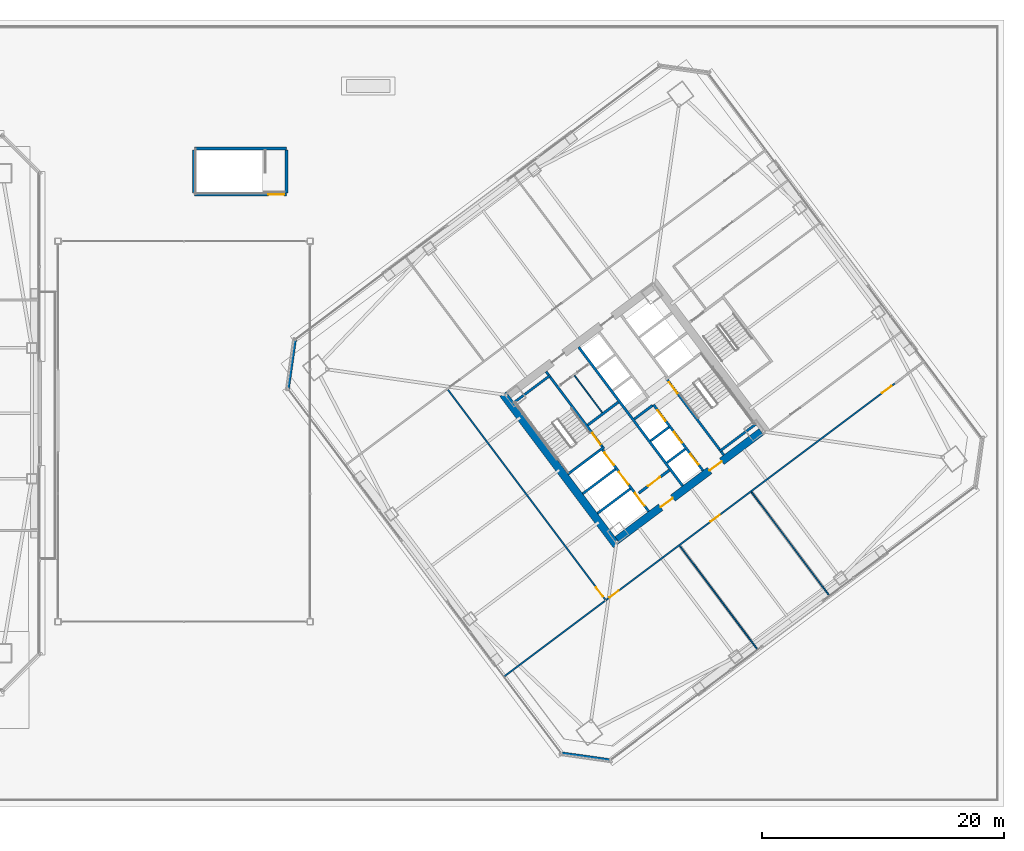
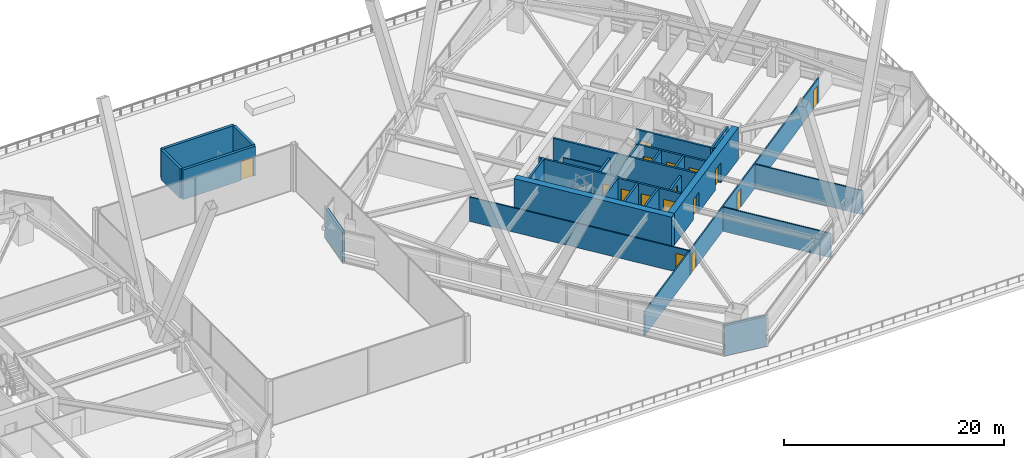
# One storey, part 70 of 83: 29 walls, 16 doors, 16 openings.
"""IFC4 building model written with IfcOpenShell, lengths in metres."""

import ifcopenshell
import ifcopenshell.guid

model = None  # the IFC model being written
_history = None  # IfcOwnerHistory: only IFC2X3 demands one
_inside = {}  # id of a spatial element -> (the spatial element, [elements in it])
_under = {}  # id of a project, library or spatial element -> (it, [spatial elements below it])
_declared = {}  # id of a project -> (the project, [libraries it declares])
_typed = {}  # id of a type object -> (the type object, [elements of that type])
_made_of = {}  # id of a material, layer set ... -> (it, [elements and type objects made of it])


def new_model(schema):
    """Start an empty IFC model of exactly this schema.

    Asked for "IFC4X3", IfcOpenShell would pick the latest addendum, in which some entities
    have other attributes; the version numbers below select the first issue.
    IFC2X3 requires an IfcOwnerHistory on every rooted entity: one is made here for all.
    """
    global model, _history
    if schema == "IFC4X3":
        model = ifcopenshell.file(schema_version=(4, 3, 0, 0))
    else:
        model = ifcopenshell.file(schema=schema)
    _inside.clear()
    _under.clear()
    _declared.clear()
    _typed.clear()
    _made_of.clear()
    _history = None
    if model.schema == "IFC2X3":
        org = make("IfcOrganization", Name="unknown")
        user = make(
            "IfcPersonAndOrganization",
            ThePerson=make("IfcPerson", FamilyName="unknown"),
            TheOrganization=org,
        )
        app = make(
            "IfcApplication",
            ApplicationDeveloper=org,
            Version="unknown",
            ApplicationFullName="unknown",
            ApplicationIdentifier="unknown",
        )
        _history = make(
            "IfcOwnerHistory",
            OwningUser=user,
            OwningApplication=app,
            ChangeAction="ADDED",
            CreationDate=0,
        )
    return model


def make(cls, **values):
    """One entity of the class cls with the attributes given. An attribute that is None is left unset."""
    return model.create_entity(
        cls, **{name: value for name, value in values.items() if value is not None}
    )


def rooted(cls, **values):
    """An entity with a GlobalId (a new one), such as an element, a storey or a relation."""
    return make(cls, GlobalId=ifcopenshell.guid.new(), OwnerHistory=_history, **values)


def si_unit(unit_type, name, prefix=None):
    """IfcSIUnit, for example si_unit("LENGTHUNIT", "METRE", prefix="MILLI")."""
    return make("IfcSIUnit", UnitType=unit_type, Prefix=prefix, Name=name)


def assignment(units):
    """IfcUnitAssignment: the units of a project."""
    return None if units is None else make("IfcUnitAssignment", Units=units)


def point(xyz):
    """IfcCartesianPoint."""
    return None if xyz is None else make("IfcCartesianPoint", Coordinates=xyz)


def direction(xyz):
    """IfcDirection."""
    return None if xyz is None else make("IfcDirection", DirectionRatios=xyz)


def frame(location, z_axis=None, x_axis=None):
    """IfcAxis2Placement3D, a coordinate frame: its origin and axes. An axis left out is left unset."""
    return make(
        "IfcAxis2Placement3D",
        Location=point(location),
        Axis=direction(z_axis),
        RefDirection=direction(x_axis),
    )


def frame_2d(location, x_axis=None):
    """IfcAxis2Placement2D, a coordinate frame in the plane: its origin and x axis."""
    return make(
        "IfcAxis2Placement2D", Location=point(location), RefDirection=direction(x_axis)
    )


def origin():
    """The frame at (0, 0, 0) with its axes left unset."""
    return frame((0.0, 0.0, 0.0))


def place(relative_to, where):
    """IfcLocalPlacement: puts the frame where relative to a parent placement (None: the world)."""
    return make(
        "IfcLocalPlacement", PlacementRelTo=relative_to, RelativePlacement=where
    )


def context(
    kind, dimensions, precision=None, world=None, true_north=None, identifier=None
):
    """IfcGeometricRepresentationContext, for example the 3D "Model" context."""
    return make(
        "IfcGeometricRepresentationContext",
        ContextIdentifier=identifier,
        ContextType=kind,
        CoordinateSpaceDimension=dimensions,
        Precision=precision,
        WorldCoordinateSystem=world,
        TrueNorth=true_north,
    )


def subcontext(parent, identifier, kind, view, scale=None):
    """IfcGeometricRepresentationSubContext, for example "Body" below "Model"."""
    return make(
        "IfcGeometricRepresentationSubContext",
        ContextIdentifier=identifier,
        ContextType=kind,
        ParentContext=parent,
        TargetScale=scale,
        TargetView=view,
    )


def project(units=None, contexts=None):
    """IfcProject with its units and contexts."""
    return rooted(
        "IfcProject",
        Name="project",
        RepresentationContexts=contexts,
        UnitsInContext=assignment(units),
    )


def spatial(cls, under=None, at=None, **own):
    """A site, building, storey or space (cls), placed at a placement, below another one or the project."""
    s = rooted(cls, ObjectPlacement=at, **own)
    if under is not None:
        _under.setdefault(under.id(), (under, []))[1].append(s)
    return s


def profile(cls, at=None, kind="AREA", **sizes):
    """A parametric profile (cls). Its sizes go by their IFC names, for example OverallWidth=200.0."""
    return make(cls, ProfileType=kind, Position=at, **sizes)


def rectangle(**sizes):
    """IfcRectangleProfileDef."""
    return profile("IfcRectangleProfileDef", **sizes)


def extrude(swept, where, along, depth):
    """IfcExtrudedAreaSolid: the profile swept, set in the frame where, extruded along a direction by depth."""
    return make(
        "IfcExtrudedAreaSolid",
        SweptArea=swept,
        Position=where,
        ExtrudedDirection=direction(along),
        Depth=depth,
    )


def shape(context_of_items, identifier, shape_type, items):
    """IfcShapeRepresentation: the items that make up one representation, for example the "Body"."""
    return make(
        "IfcShapeRepresentation",
        ContextOfItems=context_of_items,
        RepresentationIdentifier=identifier,
        RepresentationType=shape_type,
        Items=items,
    )


def material(Name=None, Category=None):
    """IfcMaterial."""
    return make("IfcMaterial", Name=Name, Category=Category)


def layer(
    of_material, thickness, ventilated=None, Name=None, Category=None, Priority=None
):
    """IfcMaterialLayer: one layer of a wall or slab, of a material (None: an air gap)."""
    return make(
        "IfcMaterialLayer",
        Material=of_material,
        LayerThickness=thickness,
        IsVentilated=ventilated,
        Name=Name,
        Category=Category,
        Priority=Priority,
    )


def layer_set(layers, Name=None):
    """IfcMaterialLayerSet."""
    return make("IfcMaterialLayerSet", MaterialLayers=layers, LayerSetName=Name)


def made_of(thing, what):
    """Note that an element or type object is made of a material, layer set ...; save() writes the relation."""
    if what is not None:
        _made_of.setdefault(what.id(), (what, []))[1].append(thing)
    return thing


def type_object(cls, material=None, **own):
    """A type object (cls), such as IfcWallType, which elements share."""
    return made_of(rooted(cls, **own), material)


def element(
    cls,
    number,
    at=None,
    inside=None,
    cuts=None,
    type_object=None,
    material=None,
    context=None,
    identifier="Body",
    shape_type=None,
    held_by="IfcProductDefinitionShape",
    body=None,
    shapes=None,
    **own,
):
    """One element of the class cls, such as IfcWall. Its Tag is "e" and its number.

    at: its placement. inside: the storey or other place that contains it. cuts: it is an
    opening in that element (IfcRelVoidsElement). A single representation is given by context,
    identifier, shape_type and body (its items); several are given by shapes. held_by: the class
    of the entity that holds the representations. save() writes the other relations.
    """
    e = rooted(cls, Tag="e%d" % number, ObjectPlacement=at, **own)
    if body is not None:
        shapes = [shape(context, identifier, shape_type, body)]
    if shapes is not None:
        e.Representation = make(held_by, Representations=shapes)
    if inside is not None:
        _inside.setdefault(inside.id(), (inside, []))[1].append(e)
    if cuts is not None:
        rooted(
            "IfcRelVoidsElement", RelatingBuildingElement=cuts, RelatedOpeningElement=e
        )
    if type_object is not None:
        _typed.setdefault(type_object.id(), (type_object, []))[1].append(e)
    return made_of(e, material)


def fill(opening, filler):
    """IfcRelFillsElement: the door or window that sits in an opening."""
    return rooted(
        "IfcRelFillsElement",
        RelatingOpeningElement=opening,
        RelatedBuildingElement=filler,
    )


def aggregate(whole, parts):
    """IfcRelAggregates: a whole, such as a stair, and the parts it consists of."""
    return rooted("IfcRelAggregates", RelatingObject=whole, RelatedObjects=parts)


def save(model, path):
    """Write the relations noted so far, then the file.

    IfcRelAggregates (storeys below a building ...), IfcRelContainedInSpatialStructure (elements
    in a storey), IfcRelDefinesByType, IfcRelAssociatesMaterial and IfcRelDeclares: one each for
    every whole, place, type object, material and project.
    """
    for whole, parts in _under.values():
        aggregate(whole, parts)
    for where, things in _inside.values():
        rooted(
            "IfcRelContainedInSpatialStructure",
            RelatedElements=things,
            RelatingStructure=where,
        )
    for kind, things in _typed.values():
        rooted("IfcRelDefinesByType", RelatedObjects=things, RelatingType=kind)
    for what, things in _made_of.values():
        rooted("IfcRelAssociatesMaterial", RelatedObjects=things, RelatingMaterial=what)
    for by, libraries in _declared.values():
        rooted("IfcRelDeclares", RelatingContext=by, RelatedDefinitions=libraries)
    model.write(path)


model = new_model("IFC4")

# Units and contexts
model_context = context("Model", 3, precision=1e-05, world=origin(), true_north=direction((0.0, 1.0)))
body_context = subcontext(model_context, "Body", "Model", "MODEL_VIEW")
ifc_project = project(units=[si_unit("LENGTHUNIT", "METRE"), si_unit("AREAUNIT", "SQUARE_METRE"), si_unit("VOLUMEUNIT", "CUBIC_METRE"), si_unit("PLANEANGLEUNIT", "RADIAN"), si_unit("MASSUNIT", "GRAM", prefix="KILO")], contexts=[model_context])

# Site, building, storey
site_placement = place(None, origin())
site = spatial("IfcSite", under=ifc_project, at=site_placement, CompositionType="ELEMENT")
building_placement = place(site_placement, origin())
building = spatial("IfcBuilding", under=site, at=building_placement, Name="Tashvorn Skyway Center", CompositionType="ELEMENT")
storey_placement = place(building_placement, frame((0.0, 0.0, 24.60009765625)))
storey = spatial("IfcBuildingStorey", under=building, at=storey_placement, Name="L05", CompositionType="ELEMENT", Elevation=24.60009765625)

# Wall
ifc_material_1 = material(Name="Concrete C60/75", Category="concrete")
ifc_layer_1 = layer(ifc_material_1, 0.64990234375)
ifc_layer_set_1 = layer_set([ifc_layer_1], Name="Concrete C60/75")
wall_type_1 = type_object("IfcWallType", Name="WALL-CORE-650", PredefinedType="SHEAR", material=ifc_layer_set_1)
wall_1_placement = place(storey_placement, frame((112.47607421875, 21.10693359375, 0.0), z_axis=(0.0, 0.0, 1.0), x_axis=(-0.600005007985, 0.799996243986, 0.0)))
element("IfcWall", 1, at=wall_1_placement, inside=storey, type_object=wall_type_1, Name="Tower 2 L05 West Core Shear Wall", PredefinedType="SHEAR", context=body_context, shape_type="SweptSolid", body=[
    extrude(rectangle(XDim=15.60009765625, YDim=0.64990234375, at=frame_2d((7.800048828125, 0.0))), origin(), (0.0, 0.0, 1.0), 3.5498046875),
])

# Wall, openings, doors
wall_2_placement = place(storey_placement, frame((124.428955078125, 30.47802734375, 0.0), z_axis=(0.0, 0.0, 1.0), x_axis=(-0.799998028465, -0.600002628705, 0.0)))
wall_2 = element("IfcWall", 2, at=wall_2_placement, inside=storey, type_object=wall_type_1, Name="Tower 2 L05 South Core Shear Wall", PredefinedType="SHEAR", context=body_context, shape_type="SweptSolid", body=[
    extrude(rectangle(XDim=14.85986328125, YDim=0.64990234375, at=frame_2d((7.429931640625, 0.0))), origin(), (0.0, 0.0, 1.0), 3.5498046875),
])
opening_1_placement = place(wall_2_placement, frame((9.1298828125, 0.0, 0.0)))
opening_1 = element("IfcOpeningElement", 3, at=opening_1_placement, cuts=wall_2, Name="Opening D-FFL-1250", PredefinedType="OPENING", context=body_context, shape_type="SweptSolid", body=[
    extrude(rectangle(XDim=1.25, YDim=2.25, at=frame_2d((0.625, 1.125))), frame((0.0, 0.3349609375, 0.0), z_axis=(0.0, -1.0, 0.0), x_axis=(1.0, 0.0, 0.0)), (0.0, 0.0, 1.0), 0.669921875),
])
opening_2_placement = place(wall_2_placement, frame((4.080078125, 0.0, 0.0)))
opening_2 = element("IfcOpeningElement", 4, at=opening_2_placement, cuts=wall_2, Name="Opening D-FFL-1250", PredefinedType="OPENING", context=body_context, shape_type="SweptSolid", body=[
    extrude(rectangle(XDim=1.25, YDim=2.25, at=frame_2d((0.625, 1.125))), frame((0.0, 0.3349609375, 0.0), z_axis=(0.0, -1.0, 0.0), x_axis=(1.0, 0.0, 0.0)), (0.0, 0.0, 1.0), 0.669921875),
])
ifc_material_2 = material(Name="Hollow galvanized steel fire door assembly", Category="steel")
door_type_1 = type_object("IfcDoorType", Name="DOOR-FFL-1250", OperationType="NOTDEFINED", PredefinedType="DOOR", material=ifc_material_2)
door_1_placement = place(opening_1_placement, origin())
door_1 = element("IfcDoor", 5, at=door_1_placement, inside=storey, type_object=door_type_1, Name="Tower 2 L05 Core South Firefighting Exit Door", OperationType="SINGLE_SWING_LEFT", OverallHeight=2.25, OverallWidth=1.25, PredefinedType="DOOR", context=body_context, shape_type="SweptSolid", body=[
    extrude(rectangle(XDim=1.25, YDim=2.25, at=frame_2d((0.625, 1.125))), frame((0.0, 0.02490234375, 0.0), z_axis=(0.0, -1.0, 0.0), x_axis=(1.0, 0.0, 0.0)), (0.0, 0.0, 1.0), 0.050048828125),
])
fill(opening_1, door_1)
door_2_placement = place(opening_2_placement, origin())
door_2 = element("IfcDoor", 6, at=door_2_placement, inside=storey, type_object=door_type_1, Name="Tower 2 L05 Core South Lift Lobby Door", OperationType="SINGLE_SWING_RIGHT", OverallHeight=2.25, OverallWidth=1.25, PredefinedType="DOOR", context=body_context, shape_type="SweptSolid", body=[
    extrude(rectangle(XDim=1.25, YDim=2.25, at=frame_2d((0.625, 1.125))), frame((0.0, 0.02490234375, 0.0), z_axis=(0.0, -1.0, 0.0), x_axis=(1.0, 0.0, 0.0)), (0.0, 0.0, 1.0), 0.050048828125),
])
fill(opening_2, door_2)

# Walls
ifc_material_3 = material(Name="Precast concrete C40/50", Category="concrete")
ifc_layer_2 = layer(ifc_material_3, 0.280029296875)
ifc_layer_set_2 = layer_set([ifc_layer_2], Name="Precast concrete C40/50")
wall_type_2 = type_object("IfcWallType", Name="WALL-EXT-280", PredefinedType="SOLIDWALL", material=ifc_layer_set_2)
for number, where, z_axis, x_axis, name in (
    (7, (111.97998046875, 3.360107421875, 0.0), (0.0, 0.0, 1.0), (-0.989955445613, 0.14137968631, 0.0), "Tower 2 L05 SW Precast Chamfer Wall"),
    (8, (85.360107421875, 34.02001953125, 0.0), (0.0, 0.0, 1.0), (0.14137968631, 0.989955445613, 0.0), "Tower 2 L05 NW Precast Chamfer Wall"),
):
    element("IfcWall", number, at=place(storey_placement, frame(where, z_axis=z_axis, x_axis=x_axis)), inside=storey, type_object=wall_type_2, Name=name, PredefinedType="SOLIDWALL", context=body_context, shape_type="SweptSolid", body=[
        extrude(rectangle(XDim=4.101318359375, YDim=0.280029296875, at=frame_2d((2.05078125, 0.0))), origin(), (0.0, 0.0, 1.0), 3.349853515625),
    ])
ifc_material_4 = material(Name="Concrete C40/50", Category="concrete")
ifc_layer_3 = layer(ifc_material_4, 0.219970703125)
ifc_layer_set_3 = layer_set([ifc_layer_3], Name="Concrete C40/50")
wall_type_3 = type_object("IfcWallType", Name="WALL-FFL-220", PredefinedType="SOLIDWALL", material=ifc_layer_set_3)
wall_3_placement = place(storey_placement, frame((110.10400390625, 31.028076171875, 0.0), z_axis=(0.0, 0.0, 1.0), x_axis=(0.800018601094, 0.59997519774, 0.0)))
element("IfcWall", 9, at=wall_3_placement, inside=storey, type_object=wall_type_3, Name="Tower 2 L05 Firefighting Lobby North Wall", PredefinedType="SOLIDWALL", context=body_context, shape_type="SweptSolid", body=[
    extrude(rectangle(XDim=3.14990234375, YDim=0.219970703125, at=frame_2d((1.574951171875, 0.0))), origin(), (0.0, 0.0, 1.0), 2.702880859375),
])

# Wall, opening, door
wall_4_placement = place(storey_placement, frame((114.31591796875, 25.412109375, 0.0), z_axis=(0.0, 0.0, 1.0), x_axis=(0.800018601094, 0.59997519774, 0.0)))
wall_4 = element("IfcWall", 10, at=wall_4_placement, inside=storey, type_object=wall_type_3, Name="Tower 2 L05 Firefighting Lobby South Wall", PredefinedType="SOLIDWALL", context=body_context, shape_type="SweptSolid", body=[
    extrude(rectangle(XDim=3.14990234375, YDim=0.219970703125, at=frame_2d((1.574951171875, 0.0))), origin(), (0.0, 0.0, 1.0), 2.702880859375),
])
opening_3_placement = place(wall_4_placement, frame((0.949951171875, 0.0, 0.0)))
opening_3 = element("IfcOpeningElement", 11, at=opening_3_placement, cuts=wall_4, Name="Opening D-FFL-1250", PredefinedType="OPENING", context=body_context, shape_type="SweptSolid", body=[
    extrude(rectangle(XDim=1.25, YDim=2.25, at=frame_2d((0.625, 1.125))), frame((0.0, 0.119873046875, 0.0), z_axis=(0.0, -1.0, 0.0), x_axis=(1.0, 0.0, 0.0)), (0.0, 0.0, 1.0), 0.239990234375),
])
door_3_placement = place(opening_3_placement, origin())
door_3 = element("IfcDoor", 12, at=door_3_placement, inside=storey, type_object=door_type_1, Name="Tower 2 L05 Firefighting Lobby Egress Door", OperationType="SINGLE_SWING_LEFT", OverallHeight=2.25, OverallWidth=1.25, PredefinedType="DOOR", context=body_context, shape_type="SweptSolid", body=[
    extrude(rectangle(XDim=1.25, YDim=2.25, at=frame_2d((0.625, 1.125))), frame((0.0, 0.02490234375, 0.0), z_axis=(0.0, -1.0, 0.0), x_axis=(1.0, 0.0, 0.0)), (0.0, 0.0, 1.0), 0.050048828125),
])
fill(opening_3, door_3)

# Walls
ifc_material_5 = material(Name="Gypsum board on cold-formed steel stud framing", Category="steel")
ifc_layer_4 = layer(ifc_material_5, 0.110107421875)
ifc_layer_set_4 = layer_set([ifc_layer_4], Name="Gypsum board on cold-formed steel stud framing")
wall_type_4 = type_object("IfcWallType", Name="WALL-PART-110", PredefinedType="PARTITIONING", material=ifc_layer_set_4)
wall_5_placement = place(storey_placement, frame((124.1279296875, 12.49609375, 0.0), z_axis=(0.0, 0.0, 1.0), x_axis=(-0.600003650761, 0.799997261916, 0.0)))
element("IfcWall", 13, at=wall_5_placement, inside=storey, type_object=wall_type_4, Name="Tower 2 L05 South Suite Partition 1", PredefinedType="PARTITIONING", context=body_context, shape_type="SweptSolid", body=[
    extrude(rectangle(XDim=10.69970703125, YDim=0.110107421875, at=frame_2d((5.349853515625, 0.0))), origin(), (0.0, 0.0, 1.0), 2.702880859375),
])
wall_6_placement = place(storey_placement, frame((130.048095703125, 16.93603515625, 0.0), z_axis=(0.0, 0.0, 1.0), x_axis=(-0.600007301277, 0.79999452399, 0.0)))
element("IfcWall", 14, at=wall_6_placement, inside=storey, type_object=wall_type_4, Name="Tower 2 L05 South Suite Partition 2", PredefinedType="PARTITIONING", context=body_context, shape_type="SweptSolid", body=[
    extrude(rectangle(XDim=10.7001953125, YDim=0.110107421875, at=frame_2d((5.35009765625, 0.0))), origin(), (0.0, 0.0, 1.0), 2.702880859375),
])

# Wall, openings, doors
ifc_layer_5 = layer(ifc_material_5, 0.135009765625)
ifc_layer_set_5 = layer_set([ifc_layer_5], Name="Gypsum board on cold-formed steel stud framing")
wall_type_5 = type_object("IfcWallType", Name="WALL-PART-135", PredefinedType="PARTITIONING", material=ifc_layer_set_5)
wall_7_placement = place(storey_placement, frame((135.4599609375, 34.469970703125, 0.0), z_axis=(0.0, 0.0, 1.0), x_axis=(-0.800000982127, -0.599998690494, 0.0)))
wall_7 = element("IfcWall", 15, at=wall_7_placement, inside=storey, type_object=wall_type_5, Name="Tower 2 L05 South Suite Wall", PredefinedType="PARTITIONING", context=body_context, shape_type="SweptSolid", body=[
    extrude(rectangle(XDim=29.830078125, YDim=0.135009765625, at=frame_2d((14.9150390625, 0.0))), origin(), (0.0, 0.0, 1.0), 2.702880859375),
])
opening_4_placement = place(wall_7_placement, frame((28.5, 0.0, 0.0)))
opening_4 = element("IfcOpeningElement", 16, at=opening_4_placement, cuts=wall_7, Name="Opening D-INT-950", PredefinedType="OPENING", context=body_context, shape_type="SweptSolid", body=[
    extrude(rectangle(XDim=0.949951171875, YDim=2.050048828125, at=frame_2d((0.47509765625, 1.02490234375))), frame((0.0, 0.077392578125, 0.0), z_axis=(0.0, -1.0, 0.0), x_axis=(1.0, 0.0, 0.0)), (0.0, 0.0, 1.0), 0.155029296875),
])
opening_5_placement = place(wall_7_placement, frame((18.074951171875, 0.0, 0.0)))
opening_5 = element("IfcOpeningElement", 17, at=opening_5_placement, cuts=wall_7, Name="Opening D-INT-950", PredefinedType="OPENING", context=body_context, shape_type="SweptSolid", body=[
    extrude(rectangle(XDim=0.949951171875, YDim=2.050048828125, at=frame_2d((0.47509765625, 1.02490234375))), frame((0.0, 0.077392578125, 0.0), z_axis=(0.0, -1.0, 0.0), x_axis=(1.0, 0.0, 0.0)), (0.0, 0.0, 1.0), 0.155029296875),
])
opening_6_placement = place(wall_7_placement, frame((0.3798828125, 0.0, 0.0)))
opening_6 = element("IfcOpeningElement", 18, at=opening_6_placement, cuts=wall_7, Name="Opening D-INT-950", PredefinedType="OPENING", context=body_context, shape_type="SweptSolid", body=[
    extrude(rectangle(XDim=0.949951171875, YDim=2.050048828125, at=frame_2d((0.47509765625, 1.02490234375))), frame((0.0, 0.077392578125, 0.0), z_axis=(0.0, -1.0, 0.0), x_axis=(1.0, 0.0, 0.0)), (0.0, 0.0, 1.0), 0.155029296875),
])
ifc_material_6 = material(Name="Solid-core architectural oak veneer door")
door_type_2 = type_object("IfcDoorType", Name="DOOR-INT-950", OperationType="NOTDEFINED", PredefinedType="DOOR", material=ifc_material_6)
door_4_placement = place(opening_4_placement, origin())
door_4 = element("IfcDoor", 19, at=door_4_placement, inside=storey, type_object=door_type_2, Name="Tower 2 L05 Open Plan Office Door", OperationType="SINGLE_SWING_RIGHT", OverallHeight=2.050048828125, OverallWidth=0.949951171875, PredefinedType="DOOR", context=body_context, shape_type="SweptSolid", body=[
    extrude(rectangle(XDim=0.949951171875, YDim=2.050048828125, at=frame_2d((0.47509765625, 1.02490234375))), frame((0.0, 0.02490234375, 0.0), z_axis=(0.0, -1.0, 0.0), x_axis=(1.0, 0.0, 0.0)), (0.0, 0.0, 1.0), 0.050048828125),
])
fill(opening_4, door_4)
door_5_placement = place(opening_5_placement, origin())
door_5 = element("IfcDoor", 20, at=door_5_placement, inside=storey, type_object=door_type_2, Name="Tower 2 L05 Catering Pantry Door", OperationType="SINGLE_SWING_LEFT", OverallHeight=2.050048828125, OverallWidth=0.949951171875, PredefinedType="DOOR", context=body_context, shape_type="SweptSolid", body=[
    extrude(rectangle(XDim=0.949951171875, YDim=2.050048828125, at=frame_2d((0.47509765625, 1.02490234375))), frame((0.0, 0.02490234375, 0.0), z_axis=(0.0, -1.0, 0.0), x_axis=(1.0, 0.0, 0.0)), (0.0, 0.0, 1.0), 0.050048828125),
])
fill(opening_5, door_5)
door_6_placement = place(opening_6_placement, origin())
door_6 = element("IfcDoor", 21, at=door_6_placement, inside=storey, type_object=door_type_2, Name="Tower 2 L05 Catering Pantry Door", OperationType="SINGLE_SWING_RIGHT", OverallHeight=2.050048828125, OverallWidth=0.949951171875, PredefinedType="DOOR", context=body_context, shape_type="SweptSolid", body=[
    extrude(rectangle(XDim=0.949951171875, YDim=2.050048828125, at=frame_2d((0.47509765625, 1.02490234375))), frame((0.0, 0.02490234375, 0.0), z_axis=(0.0, -1.0, 0.0), x_axis=(1.0, 0.0, 0.0)), (0.0, 0.0, 1.0), 0.050048828125),
])
fill(opening_6, door_6)

# Wall, opening, door
wall_8_placement = place(storey_placement, frame((111.548095703125, 16.635986328125, 0.0), z_axis=(0.0, 0.0, 1.0), x_axis=(-0.600003610192, 0.799997292343, 0.0)))
wall_8 = element("IfcWall", 22, at=wall_8_placement, inside=storey, type_object=wall_type_5, Name="Tower 2 L05 West Inner Suite Wall", PredefinedType="PARTITIONING", context=body_context, shape_type="SweptSolid", body=[
    extrude(rectangle(XDim=21.64013671875, YDim=0.135009765625, at=frame_2d((10.820068359375, 0.0))), origin(), (0.0, 0.0, 1.0), 2.702880859375),
])
opening_7_placement = place(wall_8_placement, frame((0.300048828125, 0.0, 0.0)))
opening_7 = element("IfcOpeningElement", 23, at=opening_7_placement, cuts=wall_8, Name="Opening D-INT-950", PredefinedType="OPENING", context=body_context, shape_type="SweptSolid", body=[
    extrude(rectangle(XDim=0.949951171875, YDim=2.050048828125, at=frame_2d((0.47509765625, 1.02490234375))), frame((0.0, 0.077392578125, 0.0), z_axis=(0.0, -1.0, 0.0), x_axis=(1.0, 0.0, 0.0)), (0.0, 0.0, 1.0), 0.155029296875),
])
door_7_placement = place(opening_7_placement, origin())
door_7 = element("IfcDoor", 24, at=door_7_placement, inside=storey, type_object=door_type_2, Name="Tower 2 L05 Staff Fitness Club Door", OperationType="SINGLE_SWING_LEFT", OverallHeight=2.050048828125, OverallWidth=0.949951171875, PredefinedType="DOOR", context=body_context, shape_type="SweptSolid", body=[
    extrude(rectangle(XDim=0.949951171875, YDim=2.050048828125, at=frame_2d((0.47509765625, 1.02490234375))), frame((0.0, 0.02490234375, 0.0), z_axis=(0.0, -1.0, 0.0), x_axis=(1.0, 0.0, 0.0)), (0.0, 0.0, 1.0), 0.050048828125),
])
fill(opening_7, door_7)

# Wall
wall_9_placement = place(storey_placement, frame((103.196044921875, 10.27197265625, 0.0), z_axis=(0.0, 0.0, 1.0), x_axis=(0.8, 0.6, 0.0)))
element("IfcWall", 25, at=wall_9_placement, inside=storey, type_object=wall_type_5, Name="Tower 2 L05 West Suite South Wall", PredefinedType="PARTITIONING", context=body_context, shape_type="SweptSolid", body=[
    extrude(rectangle(XDim=10.419921875, YDim=0.135009765625, at=frame_2d((5.2099609375, 0.0))), origin(), (0.0, 0.0, 1.0), 2.702880859375),
])

# Wall, opening, door
ifc_layer_6 = layer(ifc_material_3, 0.280029296875)
ifc_layer_set_6 = layer_set([ifc_layer_6], Name="Precast concrete C40/50")
wall_type_6 = type_object("IfcWallType", Name="WALL-PH-280", PredefinedType="SOLIDWALL", material=ifc_layer_set_6)
wall_10_placement = place(storey_placement, frame((85.25, 50.050048828125, 0.0), z_axis=(0.0, 0.0, 1.0), x_axis=(-1.0, 0.0, 0.0)))
wall_10 = element("IfcWall", 26, at=wall_10_placement, inside=storey, type_object=wall_type_6, Name="L05 POD2 Stair Penthouse South Wall", PredefinedType="SOLIDWALL", context=body_context, shape_type="SweptSolid", body=[
    extrude(rectangle(XDim=7.60009765625, YDim=0.280029296875, at=frame_2d((3.800048828125, 0.0))), origin(), (0.0, 0.0, 1.0), 3.2998046875),
])
opening_8_placement = place(wall_10_placement, frame((0.199951171875, 0.0, 0.0)))
opening_8 = element("IfcOpeningElement", 27, at=opening_8_placement, cuts=wall_10, Name="Opening D-TER-1300", PredefinedType="OPENING", context=body_context, shape_type="SweptSolid", body=[
    extrude(rectangle(XDim=1.300048828125, YDim=2.14990234375, at=frame_2d((0.64990234375, 1.074951171875))), frame((0.0, 0.14990234375, 0.0), z_axis=(0.0, -1.0, 0.0), x_axis=(1.0, 0.0, 0.0)), (0.0, 0.0, 1.0), 0.300048828125),
])
ifc_material_7 = material(Name="Thermally broken bronze-anodized aluminium 6063-T6", Category="aluminium")
door_type_3 = type_object("IfcDoorType", Name="DOOR-TERR-1300", OperationType="NOTDEFINED", PredefinedType="DOOR", material=ifc_material_7)
door_8_placement = place(opening_8_placement, origin())
door_8 = element("IfcDoor", 28, at=door_8_placement, inside=storey, type_object=door_type_3, Name="L05 POD2 Podium Garden Stair Exit Door", OperationType="SINGLE_SWING_LEFT", OverallHeight=2.14990234375, OverallWidth=1.300048828125, PredefinedType="DOOR", context=body_context, shape_type="SweptSolid", body=[
    extrude(rectangle(XDim=1.300048828125, YDim=2.14990234375, at=frame_2d((0.64990234375, 1.074951171875))), frame((0.0, 0.02490234375, 0.0), z_axis=(0.0, -1.0, 0.0), x_axis=(1.0, 0.0, 0.0)), (0.0, 0.0, 1.0), 0.050048828125),
])
fill(opening_8, door_8)

# Walls
wall_11_placement = place(storey_placement, frame((77.64990234375, 53.85009765625, 0.0), z_axis=(0.0, 0.0, 1.0), x_axis=(1.0, 0.0, 0.0)))
element("IfcWall", 29, at=wall_11_placement, inside=storey, type_object=wall_type_6, Name="L05 POD2 Stair Penthouse North Wall", PredefinedType="SOLIDWALL", context=body_context, shape_type="SweptSolid", body=[
    extrude(rectangle(XDim=7.60009765625, YDim=0.280029296875, at=frame_2d((3.800048828125, 0.0))), origin(), (0.0, 0.0, 1.0), 3.2998046875),
])
for number, where, z_axis, x_axis, name in (
    (30, (85.25, 53.7099609375, 0.0), (0.0, 0.0, 1.0), (0.0, -1.0, 0.0), "L05 POD2 Stair Penthouse East Wall"),
    (31, (77.64990234375, 50.18994140625, 0.0), (0.0, 0.0, 1.0), (0.0, 1.0, 0.0), "L05 POD2 Stair Penthouse West Wall"),
):
    element("IfcWall", number, at=place(storey_placement, frame(where, z_axis=z_axis, x_axis=x_axis)), inside=storey, type_object=wall_type_6, Name=name, PredefinedType="SOLIDWALL", context=body_context, shape_type="SweptSolid", body=[
        extrude(rectangle(XDim=3.52001953125, YDim=0.280029296875, at=frame_2d((1.760009765625, 0.0))), origin(), (0.0, 0.0, 1.0), 3.2998046875),
    ])
ifc_layer_7 = layer(ifc_material_5, 0.110107421875)
ifc_layer_set_7 = layer_set([ifc_layer_7], Name="Gypsum board on cold-formed steel stud framing")
wall_type_7 = type_object("IfcWallType", Name="WALL-RATED-110", PredefinedType="PARTITIONING", material=ifc_layer_set_7)
wall_12_placement = place(storey_placement, frame((111.2958984375, 32.072021484375, 0.0), z_axis=(0.0, 0.0, 1.0), x_axis=(-0.59995887973, 0.800030838552, 0.0)))
element("IfcWall", 32, at=wall_12_placement, inside=storey, type_object=wall_type_7, Name="Tower 2 L05 Core Split Partition", PredefinedType="PARTITIONING", context=body_context, shape_type="SweptSolid", body=[
    extrude(rectangle(XDim=3.7998046875, YDim=0.110107421875, at=frame_2d((1.89990234375, 0.0))), origin(), (0.0, 0.0, 1.0), 2.702880859375),
])
ifc_layer_8 = layer(ifc_material_4, 0.199951171875)
ifc_layer_set_8 = layer_set([ifc_layer_8], Name="Concrete C40/50")
wall_type_8 = type_object("IfcWallType", Name="WALL-SHAFT-200", PredefinedType="SOLIDWALL", material=ifc_layer_set_8)
for number, where, z_axis, x_axis, name in (
    (33, (110.906005859375, 23.741943359375, 0.0), (0.0, 0.0, 1.0), (0.8, 0.6, 0.0), "Tower 2 L05 FSAE Shaft Divider"),
    (34, (109.68798828125, 25.365966796875, 0.0), (0.0, 0.0, 1.0), (0.8, 0.6, 0.0), "Tower 2 L05 FSAE Shaft Divider"),
):
    element("IfcWall", number, at=place(storey_placement, frame(where, z_axis=z_axis, x_axis=x_axis)), inside=storey, type_object=wall_type_8, Name=name, PredefinedType="SOLIDWALL", context=body_context, shape_type="SweptSolid", body=[
        extrude(rectangle(XDim=3.380126953125, YDim=0.199951171875, at=frame_2d((1.68994140625, 0.0))), origin(), (0.0, 0.0, 1.0), 3.349853515625),
    ])

# Wall, openings, doors
wall_13_placement = place(storey_placement, frame((119.610107421875, 27.27001953125, 0.0), z_axis=(0.0, 0.0, 1.0), x_axis=(-0.600011488909, 0.79999138319, 0.0)))
wall_13 = element("IfcWall", 35, at=wall_13_placement, inside=storey, type_object=wall_type_8, Name="Tower 2 L05 Low-Rise Core Wall", PredefinedType="SOLIDWALL", context=body_context, shape_type="SweptSolid", body=[
    extrude(rectangle(XDim=6.800048828125, YDim=0.199951171875, at=frame_2d((3.39990234375, 0.0))), origin(), (0.0, 0.0, 1.0), 3.349853515625),
])
opening_9_placement = place(wall_13_placement, frame((0.625, 0.0, 0.0)))
opening_9 = element("IfcOpeningElement", 36, at=opening_9_placement, cuts=wall_13, Name="Opening LD-LR-T2-1-L05", PredefinedType="OPENING", context=body_context, shape_type="SweptSolid", body=[
    extrude(rectangle(XDim=1.10009765625, YDim=2.199951171875, at=frame_2d((0.550048828125, 1.10009765625))), frame((0.0, 0.10986328125, 0.0), z_axis=(0.0, -1.0, 0.0), x_axis=(1.0, 0.0, 0.0)), (0.0, 0.0, 1.0), 0.219970703125),
])
opening_10_placement = place(wall_13_placement, frame((2.875, 0.0, 0.0)))
opening_10 = element("IfcOpeningElement", 37, at=opening_10_placement, cuts=wall_13, Name="Opening LD-LR-T2-2-L05", PredefinedType="OPENING", context=body_context, shape_type="SweptSolid", body=[
    extrude(rectangle(XDim=1.10009765625, YDim=2.199951171875, at=frame_2d((0.550048828125, 1.10009765625))), frame((0.0, 0.10986328125, 0.0), z_axis=(0.0, -1.0, 0.0), x_axis=(1.0, 0.0, 0.0)), (0.0, 0.0, 1.0), 0.219970703125),
])
opening_11_placement = place(wall_13_placement, frame((5.125, 0.0, 0.0)))
opening_11 = element("IfcOpeningElement", 38, at=opening_11_placement, cuts=wall_13, Name="Opening LD-LR-T2-3-L05", PredefinedType="OPENING", context=body_context, shape_type="SweptSolid", body=[
    extrude(rectangle(XDim=1.10009765625, YDim=2.199951171875, at=frame_2d((0.550048828125, 1.10009765625))), frame((0.0, 0.10986328125, 0.0), z_axis=(0.0, -1.0, 0.0), x_axis=(1.0, 0.0, 0.0)), (0.0, 0.0, 1.0), 0.219970703125),
])
ifc_material_8 = material(Name="Stainless steel landing door", Category="steel")
door_type_4 = type_object("IfcDoorType", Name="DOOR-LIFT-1100", OperationType="SLIDING_TO_LEFT", PredefinedType="DOOR", material=ifc_material_8)
door_9_placement = place(opening_9_placement, origin())
door_9 = element("IfcDoor", 39, at=door_9_placement, inside=storey, type_object=door_type_4, Name="Lift LR-T2-1 L05 Landing Door", OperationType="SLIDING_TO_LEFT", OverallHeight=2.199951171875, OverallWidth=1.10009765625, PredefinedType="DOOR", context=body_context, shape_type="SweptSolid", body=[
    extrude(rectangle(XDim=1.10009765625, YDim=2.199951171875, at=frame_2d((0.550048828125, 1.10009765625))), frame((0.0, 0.02490234375, 0.0), z_axis=(0.0, -1.0, 0.0), x_axis=(1.0, 0.0, 0.0)), (0.0, 0.0, 1.0), 0.050048828125),
])
fill(opening_9, door_9)
door_10_placement = place(opening_10_placement, origin())
door_10 = element("IfcDoor", 40, at=door_10_placement, inside=storey, type_object=door_type_4, Name="Lift LR-T2-2 L05 Landing Door", OperationType="SLIDING_TO_LEFT", OverallHeight=2.199951171875, OverallWidth=1.10009765625, PredefinedType="DOOR", context=body_context, shape_type="SweptSolid", body=[
    extrude(rectangle(XDim=1.10009765625, YDim=2.199951171875, at=frame_2d((0.550048828125, 1.10009765625))), frame((0.0, 0.02490234375, 0.0), z_axis=(0.0, -1.0, 0.0), x_axis=(1.0, 0.0, 0.0)), (0.0, 0.0, 1.0), 0.050048828125),
])
fill(opening_10, door_10)
door_11_placement = place(opening_11_placement, origin())
door_11 = element("IfcDoor", 41, at=door_11_placement, inside=storey, type_object=door_type_4, Name="Lift LR-T2-3 L05 Landing Door", OperationType="SLIDING_TO_LEFT", OverallHeight=2.199951171875, OverallWidth=1.10009765625, PredefinedType="DOOR", context=body_context, shape_type="SweptSolid", body=[
    extrude(rectangle(XDim=1.10009765625, YDim=2.199951171875, at=frame_2d((0.550048828125, 1.10009765625))), frame((0.0, 0.02490234375, 0.0), z_axis=(0.0, -1.0, 0.0), x_axis=(1.0, 0.0, 0.0)), (0.0, 0.0, 1.0), 0.050048828125),
])
fill(opening_11, door_11)

# Walls
wall_14_placement = place(storey_placement, frame((116.64599609375, 27.922119140625, 0.0), z_axis=(0.0, 0.0, 1.0), x_axis=(0.8, 0.6, 0.0)))
element("IfcWall", 42, at=wall_14_placement, inside=storey, type_object=wall_type_8, Name="Tower 2 L05 Low-Rise Shaft Divider", PredefinedType="SOLIDWALL", context=body_context, shape_type="SweptSolid", body=[
    extrude(rectangle(XDim=1.8798828125, YDim=0.199951171875, at=frame_2d((0.93994140625, 0.0))), origin(), (0.0, 0.0, 1.0), 3.349853515625),
])
wall_15_placement = place(storey_placement, frame((115.2958984375, 29.721923828125, 0.0), z_axis=(0.0, 0.0, 1.0), x_axis=(0.799984418148, 0.600020775241, 0.0)))
element("IfcWall", 43, at=wall_15_placement, inside=storey, type_object=wall_type_8, Name="Tower 2 L05 Low-Rise Shaft Divider", PredefinedType="SOLIDWALL", context=body_context, shape_type="SweptSolid", body=[
    extrude(rectangle(XDim=1.880126953125, YDim=0.199951171875, at=frame_2d((0.93994140625, 0.0))), origin(), (0.0, 0.0, 1.0), 3.349853515625),
])
wall_16_placement = place(storey_placement, frame((113.946044921875, 31.52197265625, 0.0), z_axis=(0.0, 0.0, 1.0), x_axis=(0.8, 0.6, 0.0)))
element("IfcWall", 44, at=wall_16_placement, inside=storey, type_object=wall_type_8, Name="Tower 2 L05 Low-Rise Shaft Divider", PredefinedType="SOLIDWALL", context=body_context, shape_type="SweptSolid", body=[
    extrude(rectangle(XDim=1.8798828125, YDim=0.199951171875, at=frame_2d((0.93994140625, 0.0))), origin(), (0.0, 0.0, 1.0), 3.349853515625),
])

# Wall, opening, door
ifc_layer_9 = layer(ifc_material_4, 0.199951171875)
ifc_layer_set_9 = layer_set([ifc_layer_9], Name="Concrete C40/50")
wall_type_9 = type_object("IfcWallType", Name="WALL-STSHF-200", PredefinedType="SHEAR", material=ifc_layer_set_9)
wall_17_placement = place(storey_placement, frame((111.43994140625, 29.080078125, 0.0), z_axis=(0.0, 0.0, 1.0), x_axis=(-0.600009827119, 0.799992629566, 0.0)))
wall_17 = element("IfcWall", 45, at=wall_17_placement, inside=storey, type_object=wall_type_9, Name="Tower 2 L05 Stair 1 Enclosure Wall", PredefinedType="SHEAR", context=body_context, shape_type="SweptSolid", body=[
    extrude(rectangle(XDim=7.949951171875, YDim=0.199951171875, at=frame_2d((3.97509765625, 0.0))), origin(), (0.0, 0.0, 1.0), 3.349853515625),
])
opening_12_placement = place(wall_17_placement, frame((0.449951171875, 0.0, 0.0)))
opening_12 = element("IfcOpeningElement", 46, at=opening_12_placement, cuts=wall_17, Name="Opening D-ST-1150", PredefinedType="OPENING", context=body_context, shape_type="SweptSolid", body=[
    extrude(rectangle(XDim=1.14990234375, YDim=2.199951171875, at=frame_2d((0.574951171875, 1.10009765625))), frame((0.0, 0.10986328125, 0.0), z_axis=(0.0, -1.0, 0.0), x_axis=(1.0, 0.0, 0.0)), (0.0, 0.0, 1.0), 0.219970703125),
])
door_type_5 = type_object("IfcDoorType", Name="DOOR-STAIR-1150", OperationType="NOTDEFINED", PredefinedType="DOOR", material=ifc_material_2)
door_12_placement = place(opening_12_placement, origin())
door_12 = element("IfcDoor", 47, at=door_12_placement, inside=storey, type_object=door_type_5, Name="Tower 2 L05 Exit Stair 1 Door", OperationType="SINGLE_SWING_RIGHT", OverallHeight=2.199951171875, OverallWidth=1.14990234375, PredefinedType="DOOR", context=body_context, shape_type="SweptSolid", body=[
    extrude(rectangle(XDim=1.14990234375, YDim=2.199951171875, at=frame_2d((0.574951171875, 1.10009765625))), frame((0.0, 0.02490234375, 0.0), z_axis=(0.0, -1.0, 0.0), x_axis=(1.0, 0.0, 0.0)), (0.0, 0.0, 1.0), 0.050048828125),
])
fill(opening_12, door_12)

# Walls
for number, where, z_axis, x_axis, name in (
    (48, (108.47607421875, 26.98193359375, 0.0), (0.0, 0.0, 1.0), (0.799984290658, 0.600020945218, 0.0), "Tower 2 L05 Stair 1 South Wall"),
    (49, (104.035888671875, 32.902099609375, 0.0), (0.0, 0.0, 1.0), (0.800039270442, 0.59994763584, 0.0), "Tower 2 L05 Stair 1 North Wall"),
):
    element("IfcWall", number, at=place(storey_placement, frame(where, z_axis=z_axis, x_axis=x_axis)), inside=storey, type_object=wall_type_9, Name=name, PredefinedType="SHEAR", context=body_context, shape_type="SweptSolid", body=[
        extrude(rectangle(XDim=3.72998046875, YDim=0.199951171875, at=frame_2d((1.864990234375, 0.0))), origin(), (0.0, 0.0, 1.0), 3.349853515625),
    ])

# Wall, opening, door
wall_18_placement = place(storey_placement, frame((116.56005859375, 34.919921875, 0.0), z_axis=(0.0, 0.0, 1.0), x_axis=(0.600009827119, -0.799992629566, 0.0)))
wall_18 = element("IfcWall", 50, at=wall_18_placement, inside=storey, type_object=wall_type_9, Name="Tower 2 L05 Stair 2 Enclosure Wall", PredefinedType="SHEAR", context=body_context, shape_type="SweptSolid", body=[
    extrude(rectangle(XDim=7.949951171875, YDim=0.199951171875, at=frame_2d((3.97509765625, 0.0))), origin(), (0.0, 0.0, 1.0), 3.349853515625),
])
opening_13_placement = place(wall_18_placement, frame((0.449951171875, 0.0, 0.0)))
opening_13 = element("IfcOpeningElement", 51, at=opening_13_placement, cuts=wall_18, Name="Opening D-ST-1150", PredefinedType="OPENING", context=body_context, shape_type="SweptSolid", body=[
    extrude(rectangle(XDim=1.14990234375, YDim=2.199951171875, at=frame_2d((0.574951171875, 1.10009765625))), frame((0.0, 0.10986328125, 0.0), z_axis=(0.0, -1.0, 0.0), x_axis=(1.0, 0.0, 0.0)), (0.0, 0.0, 1.0), 0.219970703125),
])
door_13_placement = place(opening_13_placement, origin())
door_13 = element("IfcDoor", 52, at=door_13_placement, inside=storey, type_object=door_type_5, Name="Tower 2 L05 Exit Stair 2 Door", OperationType="SINGLE_SWING_RIGHT", OverallHeight=2.199951171875, OverallWidth=1.14990234375, PredefinedType="DOOR", context=body_context, shape_type="SweptSolid", body=[
    extrude(rectangle(XDim=1.14990234375, YDim=2.199951171875, at=frame_2d((0.574951171875, 1.10009765625))), frame((0.0, 0.02490234375, 0.0), z_axis=(0.0, -1.0, 0.0), x_axis=(1.0, 0.0, 0.0)), (0.0, 0.0, 1.0), 0.050048828125),
])
fill(opening_13, door_13)

# Walls
wall_19_placement = place(storey_placement, frame((120.97998046875, 28.860107421875, 0.0), z_axis=(0.0, 0.0, 1.0), x_axis=(0.800039270442, 0.59994763584, 0.0)))
element("IfcWall", 53, at=wall_19_placement, inside=storey, type_object=wall_type_9, Name="Tower 2 L05 Stair 2 South Wall", PredefinedType="SHEAR", context=body_context, shape_type="SweptSolid", body=[
    extrude(rectangle(XDim=3.72998046875, YDim=0.199951171875, at=frame_2d((1.864990234375, 0.0))), origin(), (0.0, 0.0, 1.0), 3.349853515625),
])
wall_20_placement = place(storey_placement, frame((117.93798828125, 26.01611328125, 0.0), z_axis=(0.0, 0.0, 1.0), x_axis=(-0.600005463273, 0.799995902516, 0.0)))
element("IfcWall", 54, at=wall_20_placement, inside=storey, type_object=wall_type_9, Name="Tower 2 L05 Firefighting Lobby East Smoke Barrier", PredefinedType="SHEAR", context=body_context, shape_type="SweptSolid", body=[
    extrude(rectangle(XDim=14.300048828125, YDim=0.199951171875, at=frame_2d((7.14990234375, 0.0))), origin(), (0.0, 0.0, 1.0), 3.349853515625),
])

# Wall, openings, doors
wall_21_placement = place(storey_placement, frame((115.1298828125, 23.909912109375, 0.0), z_axis=(0.0, 0.0, 1.0), x_axis=(-0.599975393228, 0.800018454488, 0.0)))
wall_21 = element("IfcWall", 55, at=wall_21_placement, inside=storey, type_object=wall_type_9, Name="Tower 2 L05 FSAE and Goods Shaft Front Wall", PredefinedType="SHEAR", context=body_context, shape_type="SweptSolid", body=[
    extrude(rectangle(XDim=6.349853515625, YDim=0.199951171875, at=frame_2d((3.1748046875, 0.0))), origin(), (0.0, 0.0, 1.0), 3.349853515625),
])
opening_14_placement = place(wall_21_placement, frame((4.77490234375, 0.0, 0.0)))
opening_14 = element("IfcOpeningElement", 56, at=opening_14_placement, cuts=wall_21, Name="Opening LD-FF-T2-1-L05", PredefinedType="OPENING", context=body_context, shape_type="SweptSolid", body=[
    extrude(rectangle(XDim=1.300048828125, YDim=2.25, at=frame_2d((0.64990234375, 1.125))), frame((0.0, 0.10986328125, 0.0), z_axis=(0.0, -1.0, 0.0), x_axis=(1.0, 0.0, 0.0)), (0.0, 0.0, 1.0), 0.219970703125),
])
opening_15_placement = place(wall_21_placement, frame((2.77490234375, 0.0, 0.0)))
opening_15 = element("IfcOpeningElement", 57, at=opening_15_placement, cuts=wall_21, Name="Opening LD-FF-T2-2-L05", PredefinedType="OPENING", context=body_context, shape_type="SweptSolid", body=[
    extrude(rectangle(XDim=1.300048828125, YDim=2.25, at=frame_2d((0.64990234375, 1.125))), frame((0.0, 0.10986328125, 0.0), z_axis=(0.0, -1.0, 0.0), x_axis=(1.0, 0.0, 0.0)), (0.0, 0.0, 1.0), 0.219970703125),
])
opening_16_placement = place(wall_21_placement, frame((0.574951171875, 0.0, 0.0)))
opening_16 = element("IfcOpeningElement", 58, at=opening_16_placement, cuts=wall_21, Name="Opening LD-GD-T2-1-L05", PredefinedType="OPENING", context=body_context, shape_type="SweptSolid", body=[
    extrude(rectangle(XDim=1.300048828125, YDim=2.25, at=frame_2d((0.64990234375, 1.125))), frame((0.0, 0.10986328125, 0.0), z_axis=(0.0, -1.0, 0.0), x_axis=(1.0, 0.0, 0.0)), (0.0, 0.0, 1.0), 0.219970703125),
])
ifc_material_9 = material(Name="Stainless steel heavy-duty landing door", Category="steel")
door_type_6 = type_object("IfcDoorType", Name="DOOR-LIFT-1300", OperationType="SLIDING_TO_LEFT", PredefinedType="DOOR", material=ifc_material_9)
door_14_placement = place(opening_14_placement, origin())
door_14 = element("IfcDoor", 59, at=door_14_placement, inside=storey, type_object=door_type_6, Name="Lift FF-T2-1 L05 Landing Door", OperationType="SLIDING_TO_LEFT", OverallHeight=2.25, OverallWidth=1.300048828125, PredefinedType="DOOR", context=body_context, shape_type="SweptSolid", body=[
    extrude(rectangle(XDim=1.300048828125, YDim=2.25, at=frame_2d((0.64990234375, 1.125))), frame((0.0, 0.02490234375, 0.0), z_axis=(0.0, -1.0, 0.0), x_axis=(1.0, 0.0, 0.0)), (0.0, 0.0, 1.0), 0.050048828125),
])
fill(opening_14, door_14)
door_15_placement = place(opening_15_placement, origin())
door_15 = element("IfcDoor", 60, at=door_15_placement, inside=storey, type_object=door_type_6, Name="Lift FF-T2-2 L05 Landing Door", OperationType="SLIDING_TO_LEFT", OverallHeight=2.25, OverallWidth=1.300048828125, PredefinedType="DOOR", context=body_context, shape_type="SweptSolid", body=[
    extrude(rectangle(XDim=1.300048828125, YDim=2.25, at=frame_2d((0.64990234375, 1.125))), frame((0.0, 0.02490234375, 0.0), z_axis=(0.0, -1.0, 0.0), x_axis=(1.0, 0.0, 0.0)), (0.0, 0.0, 1.0), 0.050048828125),
])
fill(opening_15, door_15)
door_16_placement = place(opening_16_placement, origin())
door_16 = element("IfcDoor", 61, at=door_16_placement, inside=storey, type_object=door_type_6, Name="Lift GD-T2-1 L05 Landing Door", OperationType="SLIDING_TO_LEFT", OverallHeight=2.25, OverallWidth=1.300048828125, PredefinedType="DOOR", context=body_context, shape_type="SweptSolid", body=[
    extrude(rectangle(XDim=1.300048828125, YDim=2.25, at=frame_2d((0.64990234375, 1.125))), frame((0.0, 0.02490234375, 0.0), z_axis=(0.0, -1.0, 0.0), x_axis=(1.0, 0.0, 0.0)), (0.0, 0.0, 1.0), 0.050048828125),
])
fill(opening_16, door_16)

save(model, "model.ifc")
